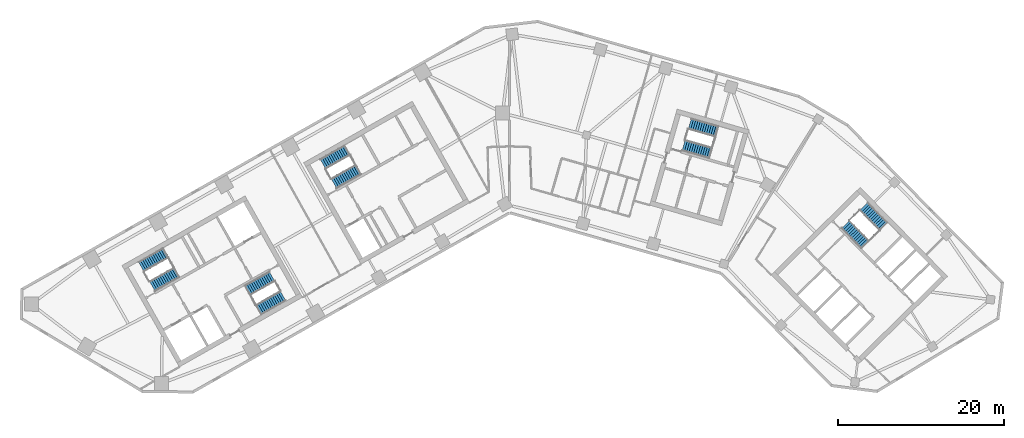
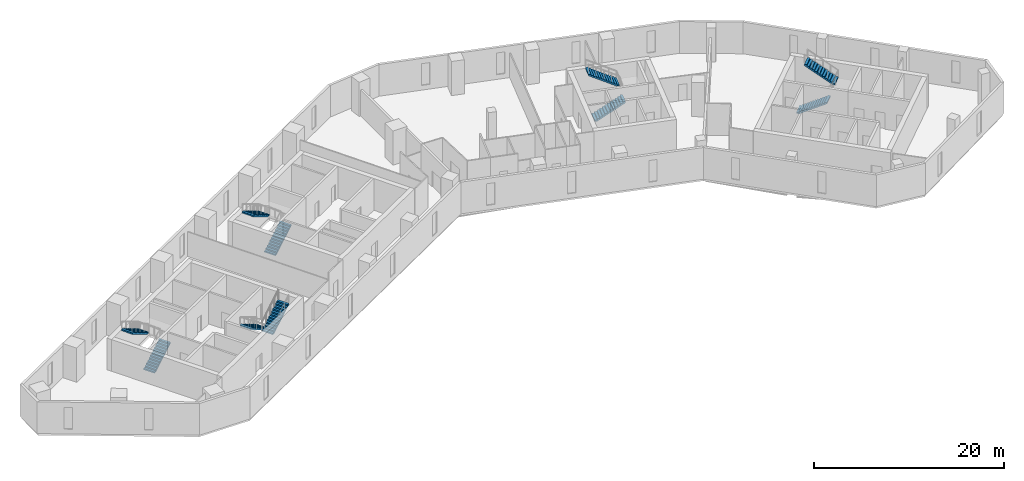
# One storey, part 8 of 10: 10 stair flights, 5 elements without a shape of their own.
"""IFC4 building model written with IfcOpenShell, lengths in metres."""

from ifc_helpers import new_model, si_unit, direction, frame, origin, place, context, subcontext, project, spatial, polyline, outline, extrude, material, type_object, element, aggregate, save


model = new_model("IFC4")

# Units and contexts
model_context = context("Model", 3, precision=1e-05, world=origin(), true_north=direction((0.0, 1.0)))
body_context = subcontext(model_context, "Body", "Model", "MODEL_VIEW")
ifc_project = project(units=[si_unit("LENGTHUNIT", "METRE"), si_unit("AREAUNIT", "SQUARE_METRE"), si_unit("VOLUMEUNIT", "CUBIC_METRE"), si_unit("PLANEANGLEUNIT", "RADIAN"), si_unit("MASSUNIT", "GRAM", prefix="KILO")], contexts=[model_context])

# Site, building, storey
site_placement = place(None, origin())
site = spatial("IfcSite", under=ifc_project, at=site_placement, CompositionType="ELEMENT")
building_placement = place(site_placement, origin())
building = spatial("IfcBuilding", under=site, at=building_placement, Name="Binnacle Exchange Tower", CompositionType="ELEMENT")
storey_placement = place(building_placement, frame((0.0, 0.0, 101.5)))
storey = spatial("IfcBuildingStorey", under=building, at=storey_placement, Name="L20", CompositionType="ELEMENT", Elevation=101.5)

# Stair, stair flights
ifc_material = material(Name="Concrete C35/45", Category="concrete")
stair_type = type_object("IfcStairType", Name="STAIR 26 RISERS 169", PredefinedType="HALF_TURN_STAIR", material=ifc_material)
stair_1_placement = place(storey_placement, origin())
stair_1 = element("IfcStair", 1, at=stair_1_placement, inside=storey, type_object=stair_type, Name="L20 Escape stair A1", PredefinedType="HALF_TURN_STAIR")
stair_flight_type = type_object("IfcStairFlightType", Name="STAIR FLIGHT 169X280", PredefinedType="STRAIGHT", material=ifc_material)
stair_flight_1_placement = place(storey_placement, frame((-42.9541015625, 39.17333984375, 0.0), z_axis=(0.0, 0.0, 1.0), x_axis=(0.870355584213, 0.492423757581, 0.0)))
stair_flight_1 = element("IfcStairFlight", 2, at=stair_flight_1_placement, type_object=stair_flight_type, Name="STA1 flight 1", NumberOfRisers=13, NumberOfTreads=12, PredefinedType="STRAIGHT", RiserHeight=0.169230769, TreadLength=0.28, context=body_context, shape_type="SweptSolid", body=[
    extrude(outline(polyline([(0.0, 0.0), (0.0, 0.169189453125), (0.280029296875, 0.169189453125), (0.280029296875, 0.33837890625), (0.56005859375, 0.33837890625), (0.56005859375, 0.5078125), (0.840087890625, 0.5078125), (0.840087890625, 0.677001953125), (1.1201171875, 0.677001953125), (1.1201171875, 0.84619140625), (1.39990234375, 0.84619140625), (1.39990234375, 1.015380859375), (1.679931640625, 1.015380859375), (1.679931640625, 1.1845703125), (1.9599609375, 1.1845703125), (1.9599609375, 1.353759765625), (2.239990234375, 1.353759765625), (2.239990234375, 1.523193359375), (2.52001953125, 1.523193359375), (2.52001953125, 1.6923828125), (2.800048828125, 1.6923828125), (2.800048828125, 1.861572265625), (3.080078125, 1.861572265625), (3.080078125, 2.03076171875), (3.360107421875, 2.03076171875), (3.360107421875, 2.199951171875), (3.360107421875, 1.855712890625), (0.289794921875, 0.0), (0.0, 0.0)])), frame((0.0, 0.675048828125, 0.0), z_axis=(0.0, -1.0, 0.0), x_axis=(1.0, 0.0, 0.0)), (0.0, 0.0, 1.0), 1.35009765625),
])
stair_flight_2_placement = place(storey_placement, frame((-41.359130859375, 43.177978515625, 2.199951171875), z_axis=(0.0, 0.0, 1.0), x_axis=(-0.870355584213, -0.492423757581, 0.0)))
stair_flight_2 = element("IfcStairFlight", 3, at=stair_flight_2_placement, type_object=stair_flight_type, Name="STA1 flight 2", NumberOfRisers=13, NumberOfTreads=12, PredefinedType="STRAIGHT", RiserHeight=0.169230769, TreadLength=0.28, context=body_context, shape_type="SweptSolid", body=[
    extrude(outline(polyline([(0.0, 0.0), (0.0, 0.169189453125), (0.280029296875, 0.169189453125), (0.280029296875, 0.33837890625), (0.56005859375, 0.33837890625), (0.56005859375, 0.5078125), (0.840087890625, 0.5078125), (0.840087890625, 0.677001953125), (1.1201171875, 0.677001953125), (1.1201171875, 0.84619140625), (1.39990234375, 0.84619140625), (1.39990234375, 1.015380859375), (1.679931640625, 1.015380859375), (1.679931640625, 1.1845703125), (1.9599609375, 1.1845703125), (1.9599609375, 1.353759765625), (2.239990234375, 1.353759765625), (2.239990234375, 1.523193359375), (2.52001953125, 1.523193359375), (2.52001953125, 1.6923828125), (2.800048828125, 1.6923828125), (2.800048828125, 1.861572265625), (3.080078125, 1.861572265625), (3.080078125, 2.03076171875), (3.360107421875, 2.03076171875), (3.360107421875, 2.199951171875), (3.360107421875, 1.855712890625), (0.289794921875, 0.0), (0.0, 0.0)])), frame((0.0, 0.675048828125, 0.0), z_axis=(0.0, -1.0, 0.0), x_axis=(1.0, 0.0, 0.0)), (0.0, 0.0, 1.0), 1.35009765625),
])
aggregate(stair_1, [stair_flight_1, stair_flight_2])

stair_2_placement = place(storey_placement, origin())
stair_2 = element("IfcStair", 4, at=stair_2_placement, inside=storey, type_object=stair_type, Name="L20 Escape stair A2", PredefinedType="HALF_TURN_STAIR")
stair_flight_3_placement = place(storey_placement, frame((-28.5732421875, 40.3583984375, 0.0), z_axis=(0.0, 0.0, 1.0), x_axis=(-0.870355584213, -0.492423757581, 0.0)))
stair_flight_3 = element("IfcStairFlight", 5, at=stair_flight_3_placement, type_object=stair_flight_type, Name="STA2 flight 1", NumberOfRisers=13, NumberOfTreads=12, PredefinedType="STRAIGHT", RiserHeight=0.169230769, TreadLength=0.28, context=body_context, shape_type="SweptSolid", body=[
    extrude(outline(polyline([(0.0, 0.0), (0.0, 0.169189453125), (0.280029296875, 0.169189453125), (0.280029296875, 0.33837890625), (0.56005859375, 0.33837890625), (0.56005859375, 0.5078125), (0.840087890625, 0.5078125), (0.840087890625, 0.677001953125), (1.1201171875, 0.677001953125), (1.1201171875, 0.84619140625), (1.39990234375, 0.84619140625), (1.39990234375, 1.015380859375), (1.679931640625, 1.015380859375), (1.679931640625, 1.1845703125), (1.9599609375, 1.1845703125), (1.9599609375, 1.353759765625), (2.239990234375, 1.353759765625), (2.239990234375, 1.523193359375), (2.52001953125, 1.523193359375), (2.52001953125, 1.6923828125), (2.800048828125, 1.6923828125), (2.800048828125, 1.861572265625), (3.080078125, 1.861572265625), (3.080078125, 2.03076171875), (3.360107421875, 2.03076171875), (3.360107421875, 2.199951171875), (3.360107421875, 1.855712890625), (0.289794921875, 0.0), (0.0, 0.0)])), frame((0.0, 0.675048828125, 0.0), z_axis=(0.0, -1.0, 0.0), x_axis=(1.0, 0.0, 0.0)), (0.0, 0.0, 1.0), 1.35009765625),
])
stair_flight_4_placement = place(storey_placement, frame((-30.16796875, 36.35400390625, 2.199951171875), z_axis=(0.0, 0.0, 1.0), x_axis=(0.870355584213, 0.492423757581, 0.0)))
stair_flight_4 = element("IfcStairFlight", 6, at=stair_flight_4_placement, type_object=stair_flight_type, Name="STA2 flight 2", NumberOfRisers=13, NumberOfTreads=12, PredefinedType="STRAIGHT", RiserHeight=0.169230769, TreadLength=0.28, context=body_context, shape_type="SweptSolid", body=[
    extrude(outline(polyline([(0.0, 0.0), (0.0, 0.169189453125), (0.280029296875, 0.169189453125), (0.280029296875, 0.33837890625), (0.56005859375, 0.33837890625), (0.56005859375, 0.5078125), (0.840087890625, 0.5078125), (0.840087890625, 0.677001953125), (1.1201171875, 0.677001953125), (1.1201171875, 0.84619140625), (1.39990234375, 0.84619140625), (1.39990234375, 1.015380859375), (1.679931640625, 1.015380859375), (1.679931640625, 1.1845703125), (1.9599609375, 1.1845703125), (1.9599609375, 1.353759765625), (2.239990234375, 1.353759765625), (2.239990234375, 1.523193359375), (2.52001953125, 1.523193359375), (2.52001953125, 1.6923828125), (2.800048828125, 1.6923828125), (2.800048828125, 1.861572265625), (3.080078125, 1.861572265625), (3.080078125, 2.03076171875), (3.360107421875, 2.03076171875), (3.360107421875, 2.199951171875), (3.360107421875, 1.855712890625), (0.289794921875, 0.0), (0.0, 0.0)])), frame((0.0, 0.675048828125, 0.0), z_axis=(0.0, -1.0, 0.0), x_axis=(1.0, 0.0, 0.0)), (0.0, 0.0, 1.0), 1.35009765625),
])
aggregate(stair_2, [stair_flight_3, stair_flight_4])

stair_3_placement = place(storey_placement, origin())
stair_3 = element("IfcStair", 7, at=stair_3_placement, inside=storey, type_object=stair_type, Name="L20 Escape stair B1", PredefinedType="HALF_TURN_STAIR")
stair_flight_5_placement = place(storey_placement, frame((40.376708984375, 46.608642578125, 0.0), z_axis=(0.0, 0.0, 1.0), x_axis=(0.70090935144, -0.713250363522, 0.0)))
stair_flight_5 = element("IfcStairFlight", 8, at=stair_flight_5_placement, type_object=stair_flight_type, Name="STB1 flight 1", NumberOfRisers=13, NumberOfTreads=12, PredefinedType="STRAIGHT", RiserHeight=0.169230769, TreadLength=0.28, context=body_context, shape_type="SweptSolid", body=[
    extrude(outline(polyline([(0.0, 0.0), (0.0, 0.169189453125), (0.280029296875, 0.169189453125), (0.280029296875, 0.33837890625), (0.56005859375, 0.33837890625), (0.56005859375, 0.5078125), (0.840087890625, 0.5078125), (0.840087890625, 0.677001953125), (1.1201171875, 0.677001953125), (1.1201171875, 0.84619140625), (1.39990234375, 0.84619140625), (1.39990234375, 1.015380859375), (1.679931640625, 1.015380859375), (1.679931640625, 1.1845703125), (1.9599609375, 1.1845703125), (1.9599609375, 1.353759765625), (2.239990234375, 1.353759765625), (2.239990234375, 1.523193359375), (2.52001953125, 1.523193359375), (2.52001953125, 1.6923828125), (2.800048828125, 1.6923828125), (2.800048828125, 1.861572265625), (3.080078125, 1.861572265625), (3.080078125, 2.03076171875), (3.360107421875, 2.03076171875), (3.360107421875, 2.199951171875), (3.360107421875, 1.855712890625), (0.289794921875, 0.0), (0.0, 0.0)])), frame((0.0, 0.675048828125, 0.0), z_axis=(0.0, -1.0, 0.0), x_axis=(1.0, 0.0, 0.0)), (0.0, 0.0, 1.0), 1.35009765625),
])
stair_flight_6_placement = place(storey_placement, frame((44.94287109375, 46.385009765625, 2.199951171875), z_axis=(0.0, 0.0, 1.0), x_axis=(-0.70090935144, 0.713250363522, 0.0)))
stair_flight_6 = element("IfcStairFlight", 9, at=stair_flight_6_placement, type_object=stair_flight_type, Name="STB1 flight 2", NumberOfRisers=13, NumberOfTreads=12, PredefinedType="STRAIGHT", RiserHeight=0.169230769, TreadLength=0.28, context=body_context, shape_type="SweptSolid", body=[
    extrude(outline(polyline([(0.0, 0.0), (0.0, 0.169189453125), (0.280029296875, 0.169189453125), (0.280029296875, 0.33837890625), (0.56005859375, 0.33837890625), (0.56005859375, 0.5078125), (0.840087890625, 0.5078125), (0.840087890625, 0.677001953125), (1.1201171875, 0.677001953125), (1.1201171875, 0.84619140625), (1.39990234375, 0.84619140625), (1.39990234375, 1.015380859375), (1.679931640625, 1.015380859375), (1.679931640625, 1.1845703125), (1.9599609375, 1.1845703125), (1.9599609375, 1.353759765625), (2.239990234375, 1.353759765625), (2.239990234375, 1.523193359375), (2.52001953125, 1.523193359375), (2.52001953125, 1.6923828125), (2.800048828125, 1.6923828125), (2.800048828125, 1.861572265625), (3.080078125, 1.861572265625), (3.080078125, 2.03076171875), (3.360107421875, 2.03076171875), (3.360107421875, 2.199951171875), (3.360107421875, 1.855712890625), (0.289794921875, 0.0), (0.0, 0.0)])), frame((0.0, 0.675048828125, 0.0), z_axis=(0.0, -1.0, 0.0), x_axis=(1.0, 0.0, 0.0)), (0.0, 0.0, 1.0), 1.35009765625),
])
aggregate(stair_3, [stair_flight_5, stair_flight_6])

stair_4_placement = place(storey_placement, origin())
stair_4 = element("IfcStair", 10, at=stair_4_placement, inside=storey, type_object=stair_type, Name="L20 Escape stair C1", PredefinedType="HALF_TURN_STAIR")
stair_flight_7_placement = place(storey_placement, frame((-21.115966796875, 51.528564453125, 0.0), z_axis=(0.0, 0.0, 1.0), x_axis=(0.870355584213, 0.492423757581, 0.0)))
stair_flight_7 = element("IfcStairFlight", 11, at=stair_flight_7_placement, type_object=stair_flight_type, Name="STC1 flight 1", NumberOfRisers=13, NumberOfTreads=12, PredefinedType="STRAIGHT", RiserHeight=0.169230769, TreadLength=0.28, context=body_context, shape_type="SweptSolid", body=[
    extrude(outline(polyline([(0.0, 0.0), (0.0, 0.169189453125), (0.280029296875, 0.169189453125), (0.280029296875, 0.33837890625), (0.56005859375, 0.33837890625), (0.56005859375, 0.5078125), (0.840087890625, 0.5078125), (0.840087890625, 0.677001953125), (1.1201171875, 0.677001953125), (1.1201171875, 0.84619140625), (1.39990234375, 0.84619140625), (1.39990234375, 1.015380859375), (1.679931640625, 1.015380859375), (1.679931640625, 1.1845703125), (1.9599609375, 1.1845703125), (1.9599609375, 1.353759765625), (2.239990234375, 1.353759765625), (2.239990234375, 1.523193359375), (2.52001953125, 1.523193359375), (2.52001953125, 1.6923828125), (2.800048828125, 1.6923828125), (2.800048828125, 1.861572265625), (3.080078125, 1.861572265625), (3.080078125, 2.03076171875), (3.360107421875, 2.03076171875), (3.360107421875, 2.199951171875), (3.360107421875, 1.855712890625), (0.289794921875, 0.0), (0.0, 0.0)])), frame((0.0, 0.675048828125, 0.0), z_axis=(0.0, -1.0, 0.0), x_axis=(1.0, 0.0, 0.0)), (0.0, 0.0, 1.0), 1.35009765625),
])
stair_flight_8_placement = place(storey_placement, frame((-19.521240234375, 55.533203125, 2.199951171875), z_axis=(0.0, 0.0, 1.0), x_axis=(-0.870355584213, -0.492423757581, 0.0)))
stair_flight_8 = element("IfcStairFlight", 12, at=stair_flight_8_placement, type_object=stair_flight_type, Name="STC1 flight 2", NumberOfRisers=13, NumberOfTreads=12, PredefinedType="STRAIGHT", RiserHeight=0.169230769, TreadLength=0.28, context=body_context, shape_type="SweptSolid", body=[
    extrude(outline(polyline([(0.0, 0.0), (0.0, 0.169189453125), (0.280029296875, 0.169189453125), (0.280029296875, 0.33837890625), (0.56005859375, 0.33837890625), (0.56005859375, 0.5078125), (0.840087890625, 0.5078125), (0.840087890625, 0.677001953125), (1.1201171875, 0.677001953125), (1.1201171875, 0.84619140625), (1.39990234375, 0.84619140625), (1.39990234375, 1.015380859375), (1.679931640625, 1.015380859375), (1.679931640625, 1.1845703125), (1.9599609375, 1.1845703125), (1.9599609375, 1.353759765625), (2.239990234375, 1.353759765625), (2.239990234375, 1.523193359375), (2.52001953125, 1.523193359375), (2.52001953125, 1.6923828125), (2.800048828125, 1.6923828125), (2.800048828125, 1.861572265625), (3.080078125, 1.861572265625), (3.080078125, 2.03076171875), (3.360107421875, 2.03076171875), (3.360107421875, 2.199951171875), (3.360107421875, 1.855712890625), (0.289794921875, 0.0), (0.0, 0.0)])), frame((0.0, 0.675048828125, 0.0), z_axis=(0.0, -1.0, 0.0), x_axis=(1.0, 0.0, 0.0)), (0.0, 0.0, 1.0), 1.35009765625),
])
aggregate(stair_4, [stair_flight_7, stair_flight_8])

stair_5_placement = place(storey_placement, origin())
stair_5 = element("IfcStair", 13, at=stair_5_placement, inside=storey, type_object=stair_type, Name="L20 Escape stair D1", PredefinedType="HALF_TURN_STAIR")
stair_flight_9_placement = place(storey_placement, frame((20.914306640625, 56.109619140625, 0.0), z_axis=(0.0, 0.0, 1.0), x_axis=(0.961261811397, -0.275636953165, 0.0)))
stair_flight_9 = element("IfcStairFlight", 14, at=stair_flight_9_placement, type_object=stair_flight_type, Name="STD1 flight 1", NumberOfRisers=13, NumberOfTreads=12, PredefinedType="STRAIGHT", RiserHeight=0.169230769, TreadLength=0.28, context=body_context, shape_type="SweptSolid", body=[
    extrude(outline(polyline([(0.0, 0.0), (0.0, 0.169189453125), (0.280029296875, 0.169189453125), (0.280029296875, 0.33837890625), (0.56005859375, 0.33837890625), (0.56005859375, 0.5078125), (0.840087890625, 0.5078125), (0.840087890625, 0.677001953125), (1.1201171875, 0.677001953125), (1.1201171875, 0.84619140625), (1.39990234375, 0.84619140625), (1.39990234375, 1.015380859375), (1.679931640625, 1.015380859375), (1.679931640625, 1.1845703125), (1.9599609375, 1.1845703125), (1.9599609375, 1.353759765625), (2.239990234375, 1.353759765625), (2.239990234375, 1.523193359375), (2.52001953125, 1.523193359375), (2.52001953125, 1.6923828125), (2.800048828125, 1.6923828125), (2.800048828125, 1.861572265625), (3.080078125, 1.861572265625), (3.080078125, 2.03076171875), (3.360107421875, 2.03076171875), (3.360107421875, 2.199951171875), (3.360107421875, 1.855712890625), (0.289794921875, 0.0), (0.0, 0.0)])), frame((0.0, 0.675048828125, 0.0), z_axis=(0.0, -1.0, 0.0), x_axis=(1.0, 0.0, 0.0)), (0.0, 0.0, 1.0), 1.35009765625),
])
stair_flight_10_placement = place(storey_placement, frame((24.888427734375, 57.77880859375, 2.199951171875), z_axis=(0.0, 0.0, 1.0), x_axis=(-0.961261811397, 0.275636953165, 0.0)))
stair_flight_10 = element("IfcStairFlight", 15, at=stair_flight_10_placement, type_object=stair_flight_type, Name="STD1 flight 2", NumberOfRisers=13, NumberOfTreads=12, PredefinedType="STRAIGHT", RiserHeight=0.169230769, TreadLength=0.28, context=body_context, shape_type="SweptSolid", body=[
    extrude(outline(polyline([(0.0, 0.0), (0.0, 0.169189453125), (0.280029296875, 0.169189453125), (0.280029296875, 0.33837890625), (0.56005859375, 0.33837890625), (0.56005859375, 0.5078125), (0.840087890625, 0.5078125), (0.840087890625, 0.677001953125), (1.1201171875, 0.677001953125), (1.1201171875, 0.84619140625), (1.39990234375, 0.84619140625), (1.39990234375, 1.015380859375), (1.679931640625, 1.015380859375), (1.679931640625, 1.1845703125), (1.9599609375, 1.1845703125), (1.9599609375, 1.353759765625), (2.239990234375, 1.353759765625), (2.239990234375, 1.523193359375), (2.52001953125, 1.523193359375), (2.52001953125, 1.6923828125), (2.800048828125, 1.6923828125), (2.800048828125, 1.861572265625), (3.080078125, 1.861572265625), (3.080078125, 2.03076171875), (3.360107421875, 2.03076171875), (3.360107421875, 2.199951171875), (3.360107421875, 1.855712890625), (0.289794921875, 0.0), (0.0, 0.0)])), frame((0.0, 0.675048828125, 0.0), z_axis=(0.0, -1.0, 0.0), x_axis=(1.0, 0.0, 0.0)), (0.0, 0.0, 1.0), 1.35009765625),
])
aggregate(stair_5, [stair_flight_9, stair_flight_10])

save(model, "model.ifc")
